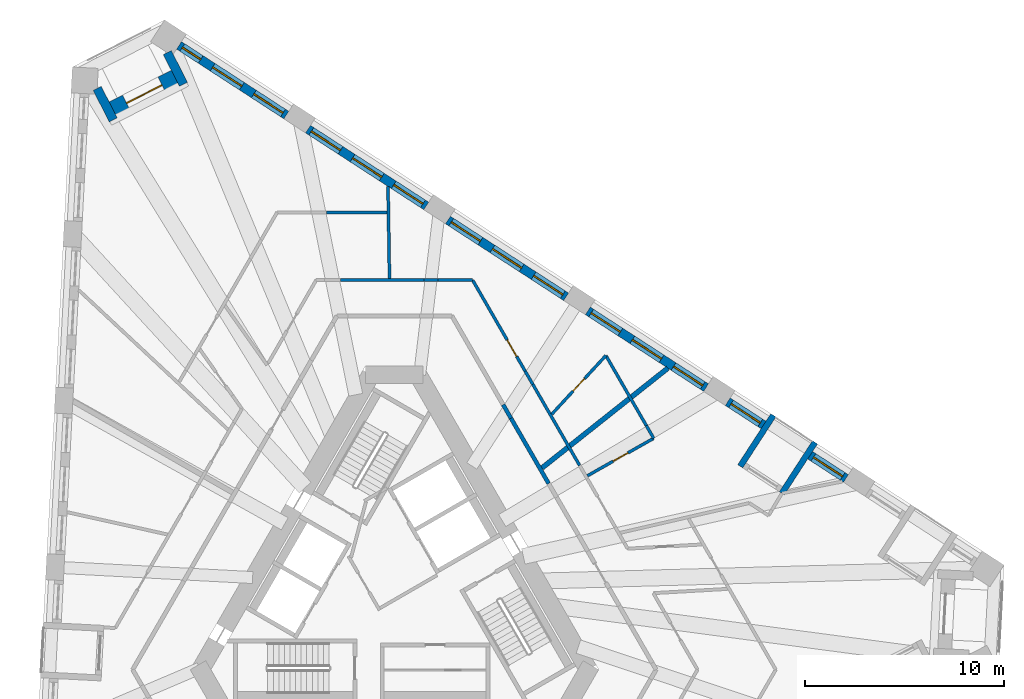
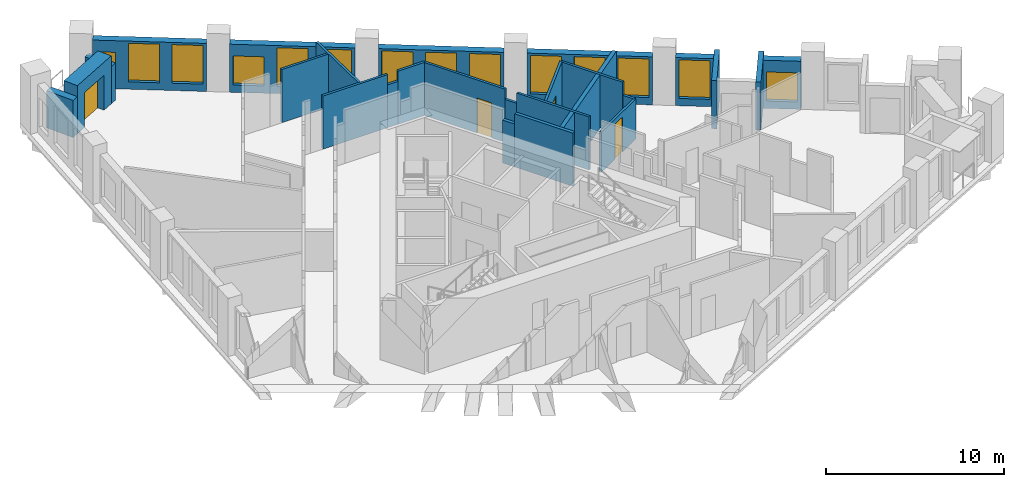
# One storey, part 8 of 13: 26 walls, 14 windows, 4 doors, 18 openings.
"""IFC4 building model written with IfcOpenShell, lengths in metres."""

from ifc_helpers import new_model, si_unit, direction, frame, frame_2d, origin, place, context, subcontext, project, spatial, rectangle, extrude, material, layer, layer_set, type_object, element, fill, save


model = new_model("IFC4")

# Units and contexts
model_context = context("Model", 3, precision=1e-05, world=origin(), true_north=direction((0.0, 1.0)))
body_context = subcontext(model_context, "Body", "Model", "MODEL_VIEW")
ifc_project = project(units=[si_unit("LENGTHUNIT", "METRE"), si_unit("AREAUNIT", "SQUARE_METRE"), si_unit("VOLUMEUNIT", "CUBIC_METRE"), si_unit("PLANEANGLEUNIT", "RADIAN"), si_unit("MASSUNIT", "GRAM", prefix="KILO")], contexts=[model_context])

# Site, building, storey
site_placement = place(None, origin())
site = spatial("IfcSite", under=ifc_project, at=site_placement, CompositionType="ELEMENT")
building_placement = place(site_placement, origin())
building = spatial("IfcBuilding", under=site, at=building_placement, Name="Tramontana Tower", CompositionType="ELEMENT")
storey_placement = place(building_placement, frame((0.0, 0.0, 149.60009765625)))
storey = spatial("IfcBuildingStorey", under=building, at=storey_placement, Name="L34", CompositionType="ELEMENT", Elevation=149.60009765625)

# Walls
ifc_material_1 = material(Name="Blockwork", Category="masonry")
ifc_layer_1 = layer(ifc_material_1, 0.199951171875)
ifc_layer_set_1 = layer_set([ifc_layer_1], Name="ENTRY WALL 200")
wall_type_1 = type_object("IfcWallType", Name="ENTRY WALL 200", PredefinedType="SOLIDWALL", material=ifc_layer_set_1)
wall_1_placement = place(storey_placement, frame((5.457763671875, 9.046875, 0.0), z_axis=(0.0, 0.0, 1.0), x_axis=(0.499982474044, -0.866035522163, 0.0)))
element("IfcWall", 1, at=wall_1_placement, inside=storey, type_object=wall_type_1, Name="Wall v32-ew0-1", PredefinedType="SOLIDWALL", context=body_context, shape_type="SweptSolid", body=[
    extrude(rectangle(XDim=0.78564453125, YDim=0.199951171875, at=frame_2d((0.392822265625, 0.0))), origin(), (0.0, 0.0, 1.0), 2.949951171875),
])
wall_2_placement = place(storey_placement, frame((5.8505859375, 8.366455078125, 0.0), z_axis=(0.0, 0.0, 1.0), x_axis=(0.499998034377, -0.866026538634, 0.0)))
element("IfcWall", 2, at=wall_2_placement, inside=storey, type_object=wall_type_1, Name="Wall v32-ew0-2", PredefinedType="SOLIDWALL", context=body_context, shape_type="SweptSolid", body=[
    extrude(rectangle(XDim=3.783203125, YDim=0.199951171875, at=frame_2d((1.8916015625, 0.0))), origin(), (0.0, 0.0, 1.0), 3.64990234375),
])

# Wall, opening, window
ifc_material_2 = material(Name="Precast concrete 60 MPa", Category="concrete")
ifc_layer_2 = layer(ifc_material_2, 0.449951171875)
ifc_layer_set_2 = layer_set([ifc_layer_2], Name="Precast concrete 60 MPa, 450 mm")
wall_type_2 = type_object("IfcWallType", Name="EW1 Stone-faced precast wall 450", PredefinedType="SOLIDWALL", material=ifc_layer_set_2)
wall_3_placement = place(storey_placement, frame((22.660400390625, 5.345703125, 0.0), z_axis=(0.0, 0.0, 1.0), x_axis=(-0.838675466927, 0.544631491171, 0.0)))
wall_3 = element("IfcWall", 3, at=wall_3_placement, inside=storey, type_object=wall_type_2, Name="External wall L34 face 2 bay 2", PredefinedType="SOLIDWALL", context=body_context, shape_type="SweptSolid", body=[
    extrude(rectangle(XDim=2.140380859375, YDim=0.449951171875, at=frame_2d((1.0703125, 0.0))), origin(), (0.0, 0.0, 1.0), 3.2998046875),
])
opening_1_placement = place(wall_3_placement, frame((0.1953125, 0.0, 0.5)))
opening_1 = element("IfcOpeningElement", 4, at=opening_1_placement, cuts=wall_3, Name="Opening M2L", PredefinedType="OPENING", context=body_context, shape_type="SweptSolid", body=[
    extrude(rectangle(XDim=1.75, YDim=2.0, at=frame_2d((0.875, 1.0))), frame((0.0, 0.23486328125, 0.0), z_axis=(0.0, -1.0, 0.0), x_axis=(1.0, 0.0, 0.0)), (0.0, 0.0, 1.0), 0.469970703125),
])
ifc_material_3 = material(Name="Aluminum frame, double glazing unit", Category="aluminium")
window_type_1 = type_object("IfcWindowType", Name="M2L Window 1.75 x 2", PartitioningType="SINGLE_PANEL", PredefinedType="WINDOW", material=ifc_material_3)
window_1_placement = place(opening_1_placement, origin())
window_1 = element("IfcWindow", 5, at=window_1_placement, inside=storey, type_object=window_type_1, Name="Window M2L L34 face 2 module 4", OverallHeight=2.0, OverallWidth=1.75, PartitioningType="SINGLE_PANEL", PredefinedType="WINDOW", context=body_context, shape_type="SweptSolid", body=[
    extrude(rectangle(XDim=1.75, YDim=2.0, at=frame_2d((0.875, 1.0))), frame((0.0, 0.030029296875, 0.0), z_axis=(0.0, -1.0, 0.0), x_axis=(1.0, 0.0, 0.0)), (0.0, 0.0, 1.0), 0.06005859375),
])
fill(opening_1, window_1)

wall_4_placement = place(storey_placement, frame((18.52490234375, 8.03125, 0.0), z_axis=(0.0, 0.0, 1.0), x_axis=(-0.838675466927, 0.544631491171, 0.0)))
wall_4 = element("IfcWall", 6, at=wall_4_placement, inside=storey, type_object=wall_type_2, Name="External wall L34 face 2 bay 2", PredefinedType="SOLIDWALL", context=body_context, shape_type="SweptSolid", body=[
    extrude(rectangle(XDim=2.140380859375, YDim=0.449951171875, at=frame_2d((1.0703125, 0.0))), origin(), (0.0, 0.0, 1.0), 3.2998046875),
])
opening_2_placement = place(wall_4_placement, frame((0.1953125, 0.0, 0.5)))
opening_2 = element("IfcOpeningElement", 7, at=opening_2_placement, cuts=wall_4, Name="Opening M2", PredefinedType="OPENING", context=body_context, shape_type="SweptSolid", body=[
    extrude(rectangle(XDim=1.75, YDim=2.64990234375, at=frame_2d((0.875, 1.324951171875))), frame((0.0, 0.23486328125, 0.0), z_axis=(0.0, -1.0, 0.0), x_axis=(1.0, 0.0, 0.0)), (0.0, 0.0, 1.0), 0.469970703125),
])
ifc_material_4 = material(Name="Aluminum frame, double glazing unit", Category="aluminium")
window_type_2 = type_object("IfcWindowType", Name="M2 Window 1.75 x 2.65", PartitioningType="SINGLE_PANEL", PredefinedType="WINDOW", material=ifc_material_4)
window_2_placement = place(opening_2_placement, origin())
window_2 = element("IfcWindow", 8, at=window_2_placement, inside=storey, type_object=window_type_2, Name="Window M2 L34 face 2 module 6", OverallHeight=2.64990234375, OverallWidth=1.75, PartitioningType="SINGLE_PANEL", PredefinedType="WINDOW", context=body_context, shape_type="SweptSolid", body=[
    extrude(rectangle(XDim=1.75, YDim=2.64990234375, at=frame_2d((0.875, 1.324951171875))), frame((0.0, 0.030029296875, 0.0), z_axis=(0.0, -1.0, 0.0), x_axis=(1.0, 0.0, 0.0)), (0.0, 0.0, 1.0), 0.06005859375),
])
fill(opening_2, window_2)

# Wall, openings, windows
wall_5_placement = place(storey_placement, frame((15.639404296875, 9.9052734375, 0.0), z_axis=(0.0, 0.0, 1.0), x_axis=(-0.838677021821, 0.54462909679, 0.0)))
wall_5 = element("IfcWall", 9, at=wall_5_placement, inside=storey, type_object=wall_type_2, Name="External wall L34 face 2 bay 3", PredefinedType="SOLIDWALL", context=body_context, shape_type="SweptSolid", body=[
    extrude(rectangle(XDim=7.071533203125, YDim=0.449951171875, at=frame_2d((3.53564453125, 0.0))), origin(), (0.0, 0.0, 1.0), 3.2998046875),
])
opening_3_placement = place(wall_5_placement, frame((0.1953125, 0.0, 0.5)))
opening_3 = element("IfcOpeningElement", 10, at=opening_3_placement, cuts=wall_5, Name="Opening M2", PredefinedType="OPENING", context=body_context, shape_type="SweptSolid", body=[
    extrude(rectangle(XDim=1.75, YDim=2.64990234375, at=frame_2d((0.875, 1.324951171875))), frame((0.0, 0.23486328125, 0.0), z_axis=(0.0, -1.0, 0.0), x_axis=(1.0, 0.0, 0.0)), (0.0, 0.0, 1.0), 0.469970703125),
])
opening_4_placement = place(wall_5_placement, frame((2.660888671875, 0.0, 0.5)))
opening_4 = element("IfcOpeningElement", 11, at=opening_4_placement, cuts=wall_5, Name="Opening M2", PredefinedType="OPENING", context=body_context, shape_type="SweptSolid", body=[
    extrude(rectangle(XDim=1.75, YDim=2.64990234375, at=frame_2d((0.875, 1.324951171875))), frame((0.0, 0.23486328125, 0.0), z_axis=(0.0, -1.0, 0.0), x_axis=(1.0, 0.0, 0.0)), (0.0, 0.0, 1.0), 0.469970703125),
])
opening_5_placement = place(wall_5_placement, frame((5.126220703125, 0.0, 0.5)))
opening_5 = element("IfcOpeningElement", 12, at=opening_5_placement, cuts=wall_5, Name="Opening M2", PredefinedType="OPENING", context=body_context, shape_type="SweptSolid", body=[
    extrude(rectangle(XDim=1.75, YDim=2.64990234375, at=frame_2d((0.875, 1.324951171875))), frame((0.0, 0.23486328125, 0.0), z_axis=(0.0, -1.0, 0.0), x_axis=(1.0, 0.0, 0.0)), (0.0, 0.0, 1.0), 0.469970703125),
])
window_3_placement = place(opening_3_placement, origin())
window_3 = element("IfcWindow", 13, at=window_3_placement, inside=storey, type_object=window_type_2, Name="Window M2 L34 face 2 module 7", OverallHeight=2.64990234375, OverallWidth=1.75, PartitioningType="SINGLE_PANEL", PredefinedType="WINDOW", context=body_context, shape_type="SweptSolid", body=[
    extrude(rectangle(XDim=1.75, YDim=2.64990234375, at=frame_2d((0.875, 1.324951171875))), frame((0.0, 0.030029296875, 0.0), z_axis=(0.0, -1.0, 0.0), x_axis=(1.0, 0.0, 0.0)), (0.0, 0.0, 1.0), 0.06005859375),
])
fill(opening_3, window_3)
window_4_placement = place(opening_4_placement, origin())
window_4 = element("IfcWindow", 14, at=window_4_placement, inside=storey, type_object=window_type_2, Name="Window M2 L34 face 2 module 8", OverallHeight=2.64990234375, OverallWidth=1.75, PartitioningType="SINGLE_PANEL", PredefinedType="WINDOW", context=body_context, shape_type="SweptSolid", body=[
    extrude(rectangle(XDim=1.75, YDim=2.64990234375, at=frame_2d((0.875, 1.324951171875))), frame((0.0, 0.030029296875, 0.0), z_axis=(0.0, -1.0, 0.0), x_axis=(1.0, 0.0, 0.0)), (0.0, 0.0, 1.0), 0.06005859375),
])
fill(opening_4, window_4)
window_5_placement = place(opening_5_placement, origin())
window_5 = element("IfcWindow", 15, at=window_5_placement, inside=storey, type_object=window_type_2, Name="Window M2 L34 face 2 module 9", OverallHeight=2.64990234375, OverallWidth=1.75, PartitioningType="SINGLE_PANEL", PredefinedType="WINDOW", context=body_context, shape_type="SweptSolid", body=[
    extrude(rectangle(XDim=1.75, YDim=2.64990234375, at=frame_2d((0.875, 1.324951171875))), frame((0.0, 0.030029296875, 0.0), z_axis=(0.0, -1.0, 0.0), x_axis=(1.0, 0.0, 0.0)), (0.0, 0.0, 1.0), 0.06005859375),
])
fill(opening_5, window_5)

wall_6_placement = place(storey_placement, frame((8.618408203125, 14.464599609375, 0.0), z_axis=(0.0, 0.0, 1.0), x_axis=(-0.838661251934, 0.544653380146, 0.0)))
wall_6 = element("IfcWall", 16, at=wall_6_placement, inside=storey, type_object=wall_type_2, Name="External wall L34 face 2 bay 4", PredefinedType="SOLIDWALL", context=body_context, shape_type="SweptSolid", body=[
    extrude(rectangle(XDim=7.071533203125, YDim=0.449951171875, at=frame_2d((3.53564453125, 0.0))), origin(), (0.0, 0.0, 1.0), 3.2998046875),
])
opening_6_placement = place(wall_6_placement, frame((0.1953125, 0.0, 0.5)))
opening_6 = element("IfcOpeningElement", 17, at=opening_6_placement, cuts=wall_6, Name="Opening M2", PredefinedType="OPENING", context=body_context, shape_type="SweptSolid", body=[
    extrude(rectangle(XDim=1.75, YDim=2.64990234375, at=frame_2d((0.875, 1.324951171875))), frame((0.0, 0.23486328125, 0.0), z_axis=(0.0, -1.0, 0.0), x_axis=(1.0, 0.0, 0.0)), (0.0, 0.0, 1.0), 0.469970703125),
])
opening_7_placement = place(wall_6_placement, frame((2.660888671875, 0.0, 0.5)))
opening_7 = element("IfcOpeningElement", 18, at=opening_7_placement, cuts=wall_6, Name="Opening M2", PredefinedType="OPENING", context=body_context, shape_type="SweptSolid", body=[
    extrude(rectangle(XDim=1.75, YDim=2.64990234375, at=frame_2d((0.875, 1.324951171875))), frame((0.0, 0.23486328125, 0.0), z_axis=(0.0, -1.0, 0.0), x_axis=(1.0, 0.0, 0.0)), (0.0, 0.0, 1.0), 0.469970703125),
])
opening_8_placement = place(wall_6_placement, frame((5.126220703125, 0.0, 0.5)))
opening_8 = element("IfcOpeningElement", 19, at=opening_8_placement, cuts=wall_6, Name="Opening M2", PredefinedType="OPENING", context=body_context, shape_type="SweptSolid", body=[
    extrude(rectangle(XDim=1.75, YDim=2.64990234375, at=frame_2d((0.875, 1.324951171875))), frame((0.0, 0.23486328125, 0.0), z_axis=(0.0, -1.0, 0.0), x_axis=(1.0, 0.0, 0.0)), (0.0, 0.0, 1.0), 0.469970703125),
])
window_6_placement = place(opening_6_placement, origin())
window_6 = element("IfcWindow", 20, at=window_6_placement, inside=storey, type_object=window_type_2, Name="Window M2 L34 face 2 module 10", OverallHeight=2.64990234375, OverallWidth=1.75, PartitioningType="SINGLE_PANEL", PredefinedType="WINDOW", context=body_context, shape_type="SweptSolid", body=[
    extrude(rectangle(XDim=1.75, YDim=2.64990234375, at=frame_2d((0.875, 1.324951171875))), frame((0.0, 0.030029296875, 0.0), z_axis=(0.0, -1.0, 0.0), x_axis=(1.0, 0.0, 0.0)), (0.0, 0.0, 1.0), 0.06005859375),
])
fill(opening_6, window_6)
window_7_placement = place(opening_7_placement, origin())
window_7 = element("IfcWindow", 21, at=window_7_placement, inside=storey, type_object=window_type_2, Name="Window M2 L34 face 2 module 11", OverallHeight=2.64990234375, OverallWidth=1.75, PartitioningType="SINGLE_PANEL", PredefinedType="WINDOW", context=body_context, shape_type="SweptSolid", body=[
    extrude(rectangle(XDim=1.75, YDim=2.64990234375, at=frame_2d((0.875, 1.324951171875))), frame((0.0, 0.030029296875, 0.0), z_axis=(0.0, -1.0, 0.0), x_axis=(1.0, 0.0, 0.0)), (0.0, 0.0, 1.0), 0.06005859375),
])
fill(opening_7, window_7)
window_8_placement = place(opening_8_placement, origin())
window_8 = element("IfcWindow", 22, at=window_8_placement, inside=storey, type_object=window_type_2, Name="Window M2 L34 face 2 module 12", OverallHeight=2.64990234375, OverallWidth=1.75, PartitioningType="SINGLE_PANEL", PredefinedType="WINDOW", context=body_context, shape_type="SweptSolid", body=[
    extrude(rectangle(XDim=1.75, YDim=2.64990234375, at=frame_2d((0.875, 1.324951171875))), frame((0.0, 0.030029296875, 0.0), z_axis=(0.0, -1.0, 0.0), x_axis=(1.0, 0.0, 0.0)), (0.0, 0.0, 1.0), 0.06005859375),
])
fill(opening_8, window_8)

wall_7_placement = place(storey_placement, frame((1.597412109375, 19.024169921875, 0.0), z_axis=(0.0, 0.0, 1.0), x_axis=(-0.838677021821, 0.54462909679, 0.0)))
wall_7 = element("IfcWall", 23, at=wall_7_placement, inside=storey, type_object=wall_type_2, Name="External wall L34 face 2 bay 5", PredefinedType="SOLIDWALL", context=body_context, shape_type="SweptSolid", body=[
    extrude(rectangle(XDim=7.071533203125, YDim=0.449951171875, at=frame_2d((3.53564453125, 0.0))), origin(), (0.0, 0.0, 1.0), 3.2998046875),
])
opening_9_placement = place(wall_7_placement, frame((0.1953125, 0.0, 0.5)))
opening_9 = element("IfcOpeningElement", 24, at=opening_9_placement, cuts=wall_7, Name="Opening M2", PredefinedType="OPENING", context=body_context, shape_type="SweptSolid", body=[
    extrude(rectangle(XDim=1.75, YDim=2.64990234375, at=frame_2d((0.875, 1.324951171875))), frame((0.0, 0.23486328125, 0.0), z_axis=(0.0, -1.0, 0.0), x_axis=(1.0, 0.0, 0.0)), (0.0, 0.0, 1.0), 0.469970703125),
])
opening_10_placement = place(wall_7_placement, frame((2.660888671875, 0.0, 0.5)))
opening_10 = element("IfcOpeningElement", 25, at=opening_10_placement, cuts=wall_7, Name="Opening M2", PredefinedType="OPENING", context=body_context, shape_type="SweptSolid", body=[
    extrude(rectangle(XDim=1.75, YDim=2.64990234375, at=frame_2d((0.875, 1.324951171875))), frame((0.0, 0.23486328125, 0.0), z_axis=(0.0, -1.0, 0.0), x_axis=(1.0, 0.0, 0.0)), (0.0, 0.0, 1.0), 0.469970703125),
])
opening_11_placement = place(wall_7_placement, frame((5.126220703125, 0.0, 0.5)))
opening_11 = element("IfcOpeningElement", 26, at=opening_11_placement, cuts=wall_7, Name="Opening M2L", PredefinedType="OPENING", context=body_context, shape_type="SweptSolid", body=[
    extrude(rectangle(XDim=1.75, YDim=2.0, at=frame_2d((0.875, 1.0))), frame((0.0, 0.23486328125, 0.0), z_axis=(0.0, -1.0, 0.0), x_axis=(1.0, 0.0, 0.0)), (0.0, 0.0, 1.0), 0.469970703125),
])
window_9_placement = place(opening_9_placement, origin())
window_9 = element("IfcWindow", 27, at=window_9_placement, inside=storey, type_object=window_type_2, Name="Window M2 L34 face 2 module 13", OverallHeight=2.64990234375, OverallWidth=1.75, PartitioningType="SINGLE_PANEL", PredefinedType="WINDOW", context=body_context, shape_type="SweptSolid", body=[
    extrude(rectangle(XDim=1.75, YDim=2.64990234375, at=frame_2d((0.875, 1.324951171875))), frame((0.0, 0.030029296875, 0.0), z_axis=(0.0, -1.0, 0.0), x_axis=(1.0, 0.0, 0.0)), (0.0, 0.0, 1.0), 0.06005859375),
])
fill(opening_9, window_9)
window_10_placement = place(opening_10_placement, origin())
window_10 = element("IfcWindow", 28, at=window_10_placement, inside=storey, type_object=window_type_2, Name="Window M2 L34 face 2 module 14", OverallHeight=2.64990234375, OverallWidth=1.75, PartitioningType="SINGLE_PANEL", PredefinedType="WINDOW", context=body_context, shape_type="SweptSolid", body=[
    extrude(rectangle(XDim=1.75, YDim=2.64990234375, at=frame_2d((0.875, 1.324951171875))), frame((0.0, 0.030029296875, 0.0), z_axis=(0.0, -1.0, 0.0), x_axis=(1.0, 0.0, 0.0)), (0.0, 0.0, 1.0), 0.06005859375),
])
fill(opening_10, window_10)
window_11_placement = place(opening_11_placement, origin())
window_11 = element("IfcWindow", 29, at=window_11_placement, inside=storey, type_object=window_type_1, Name="Window M2L L34 face 2 module 15", OverallHeight=2.0, OverallWidth=1.75, PartitioningType="SINGLE_PANEL", PredefinedType="WINDOW", context=body_context, shape_type="SweptSolid", body=[
    extrude(rectangle(XDim=1.75, YDim=2.0, at=frame_2d((0.875, 1.0))), frame((0.0, 0.030029296875, 0.0), z_axis=(0.0, -1.0, 0.0), x_axis=(1.0, 0.0, 0.0)), (0.0, 0.0, 1.0), 0.06005859375),
])
fill(opening_11, window_11)

wall_8_placement = place(storey_placement, frame((-5.423583984375, 23.583740234375, 0.0), z_axis=(0.0, 0.0, 1.0), x_axis=(-0.838675466927, 0.544631491171, 0.0)))
wall_8 = element("IfcWall", 30, at=wall_8_placement, inside=storey, type_object=wall_type_2, Name="External wall L34 face 2 bay 6", PredefinedType="SOLIDWALL", context=body_context, shape_type="SweptSolid", body=[
    extrude(rectangle(XDim=6.42138671875, YDim=0.449951171875, at=frame_2d((3.210693359375, 0.0))), origin(), (0.0, 0.0, 1.0), 3.2998046875),
])
opening_12_placement = place(wall_8_placement, frame((0.1953125, 0.0, 0.5)))
opening_12 = element("IfcOpeningElement", 31, at=opening_12_placement, cuts=wall_8, Name="Opening M2", PredefinedType="OPENING", context=body_context, shape_type="SweptSolid", body=[
    extrude(rectangle(XDim=1.75, YDim=2.64990234375, at=frame_2d((0.875, 1.324951171875))), frame((0.0, 0.23486328125, 0.0), z_axis=(0.0, -1.0, 0.0), x_axis=(1.0, 0.0, 0.0)), (0.0, 0.0, 1.0), 0.469970703125),
])
opening_13_placement = place(wall_8_placement, frame((2.660888671875, 0.0, 0.5)))
opening_13 = element("IfcOpeningElement", 32, at=opening_13_placement, cuts=wall_8, Name="Opening M2", PredefinedType="OPENING", context=body_context, shape_type="SweptSolid", body=[
    extrude(rectangle(XDim=1.75, YDim=2.64990234375, at=frame_2d((0.875, 1.324951171875))), frame((0.0, 0.23486328125, 0.0), z_axis=(0.0, -1.0, 0.0), x_axis=(1.0, 0.0, 0.0)), (0.0, 0.0, 1.0), 0.469970703125),
])
opening_14_placement = place(wall_8_placement, frame((5.126220703125, 0.0, 0.5)))
opening_14 = element("IfcOpeningElement", 33, at=opening_14_placement, cuts=wall_8, Name="Opening N2L", PredefinedType="OPENING", context=body_context, shape_type="SweptSolid", body=[
    extrude(rectangle(XDim=1.10009765625, YDim=2.0, at=frame_2d((0.550048828125, 1.0))), frame((0.0, 0.23486328125, 0.0), z_axis=(0.0, -1.0, 0.0), x_axis=(1.0, 0.0, 0.0)), (0.0, 0.0, 1.0), 0.469970703125),
])
window_12_placement = place(opening_12_placement, origin())
window_12 = element("IfcWindow", 34, at=window_12_placement, inside=storey, type_object=window_type_2, Name="Window M2 L34 face 2 module 16", OverallHeight=2.64990234375, OverallWidth=1.75, PartitioningType="SINGLE_PANEL", PredefinedType="WINDOW", context=body_context, shape_type="SweptSolid", body=[
    extrude(rectangle(XDim=1.75, YDim=2.64990234375, at=frame_2d((0.875, 1.324951171875))), frame((0.0, 0.030029296875, 0.0), z_axis=(0.0, -1.0, 0.0), x_axis=(1.0, 0.0, 0.0)), (0.0, 0.0, 1.0), 0.06005859375),
])
fill(opening_12, window_12)
window_13_placement = place(opening_13_placement, origin())
window_13 = element("IfcWindow", 35, at=window_13_placement, inside=storey, type_object=window_type_2, Name="Window M2 L34 face 2 module 17", OverallHeight=2.64990234375, OverallWidth=1.75, PartitioningType="SINGLE_PANEL", PredefinedType="WINDOW", context=body_context, shape_type="SweptSolid", body=[
    extrude(rectangle(XDim=1.75, YDim=2.64990234375, at=frame_2d((0.875, 1.324951171875))), frame((0.0, 0.030029296875, 0.0), z_axis=(0.0, -1.0, 0.0), x_axis=(1.0, 0.0, 0.0)), (0.0, 0.0, 1.0), 0.06005859375),
])
fill(opening_13, window_13)
ifc_material_5 = material(Name="Aluminum frame, double glazing unit", Category="aluminium")
window_type_3 = type_object("IfcWindowType", Name="N2L Window 1.1 x 2", PartitioningType="SINGLE_PANEL", PredefinedType="WINDOW", material=ifc_material_5)
window_14_placement = place(opening_14_placement, origin())
window_14 = element("IfcWindow", 36, at=window_14_placement, inside=storey, type_object=window_type_3, Name="Window N2L L34 face 2 module 18", OverallHeight=2.0, OverallWidth=1.10009765625, PartitioningType="SINGLE_PANEL", PredefinedType="WINDOW", context=body_context, shape_type="SweptSolid", body=[
    extrude(rectangle(XDim=1.10009765625, YDim=2.0, at=frame_2d((0.550048828125, 1.0))), frame((0.0, 0.030029296875, 0.0), z_axis=(0.0, -1.0, 0.0), x_axis=(1.0, 0.0, 0.0)), (0.0, 0.0, 1.0), 0.06005859375),
])
fill(opening_14, window_14)

# Walls
for number, where, z_axis, x_axis, name in (
    (37, (-14.916015625, 24.924072265625, 0.0), (0.0, 0.0, 1.0), (0.453952505513, -0.891025882193, 0.0), "Corner loggia side wall L34 K30l"),
    (38, (-11.396484375, 26.71728515625, 0.0), (0.0, 0.0, 1.0), (0.453952505513, -0.891025882193, 0.0), "Corner loggia side wall L34 K30r"),
):
    element("IfcWall", number, at=place(storey_placement, frame(where, z_axis=z_axis, x_axis=x_axis)), inside=storey, type_object=wall_type_2, Name=name, PredefinedType="SOLIDWALL", context=body_context, shape_type="SweptSolid", body=[
        extrude(rectangle(XDim=1.779052734375, YDim=0.449951171875, at=frame_2d((0.8896484375, 0.0))), origin(), (0.0, 0.0, 1.0), 2.5498046875),
    ])

# Wall, opening, door
ifc_material_6 = material(Name="Precast concrete 60 MPa", Category="concrete")
ifc_layer_3 = layer(ifc_material_6, 0.89990234375)
ifc_layer_set_3 = layer_set([ifc_layer_3], Name="EW2 Stone-faced corner loggia wall 900")
wall_type_3 = type_object("IfcWallType", Name="EW2 Stone-faced corner loggia wall 900", PredefinedType="SOLIDWALL", material=ifc_layer_set_3)
wall_9_placement = place(storey_placement, frame((-14.112060546875, 23.841796875, 0.0), z_axis=(0.0, 0.0, 1.0), x_axis=(0.890983062796, 0.454036542374, 0.0)))
wall_9 = element("IfcWall", 39, at=wall_9_placement, inside=storey, type_object=wall_type_3, Name="Corner loggia wall L34 K30", PredefinedType="SOLIDWALL", context=body_context, shape_type="SweptSolid", body=[
    extrude(rectangle(XDim=3.5, YDim=0.89990234375, at=frame_2d((1.75, 0.0))), origin(), (0.0, 0.0, 1.0), 3.2998046875),
])
opening_15_placement = place(wall_9_placement, frame((0.75, 0.0, 0.0)))
opening_15 = element("IfcOpeningElement", 40, at=opening_15_placement, cuts=wall_9, Name="Opening BD-30C", PredefinedType="OPENING", context=body_context, shape_type="SweptSolid", body=[
    extrude(rectangle(XDim=2.0, YDim=2.39990234375, at=frame_2d((1.0, 1.199951171875))), frame((0.0, 0.4599609375, 0.0), z_axis=(0.0, -1.0, 0.0), x_axis=(1.0, 0.0, 0.0)), (0.0, 0.0, 1.0), 0.919921875),
])
ifc_material_7 = material(Name="Aluminum frame, double glazing unit", Category="aluminium")
door_type_1 = type_object("IfcDoorType", Name="BC1 Sliding door 2 x 2.4", OperationType="SLIDING_TO_LEFT", PredefinedType="DOOR", material=ifc_material_7)
door_1_placement = place(opening_15_placement, origin())
door_1 = element("IfcDoor", 41, at=door_1_placement, inside=storey, type_object=door_type_1, Name="Corner loggia door L34 K30", OperationType="SLIDING_TO_LEFT", OverallHeight=2.39990234375, OverallWidth=2.0, PredefinedType="DOOR", context=body_context, shape_type="SweptSolid", body=[
    extrude(rectangle(XDim=2.0, YDim=2.39990234375, at=frame_2d((1.0, 1.199951171875))), frame((0.0, 0.02490234375, 0.0), z_axis=(0.0, -1.0, 0.0), x_axis=(1.0, 0.0, 0.0)), (0.0, 0.0, 1.0), 0.050048828125),
])
fill(opening_15, door_1)

# Walls
ifc_material_8 = material(Name="Precast concrete 60 MPa", Category="concrete")
ifc_layer_4 = layer(ifc_material_8, 0.300048828125)
ifc_layer_set_4 = layer_set([ifc_layer_4], Name="LW1 Stone-faced loggia wall 300")
wall_type_4 = type_object("IfcWallType", Name="LW1 Stone-faced loggia wall 300", PredefinedType="SOLIDWALL", material=ifc_layer_set_4)
for number, where, z_axis, x_axis, name in (
    (42, (21.10693359375, 7.1591796875, 0.0), (0.0, 0.0, 1.0), (-0.544647854685, -0.838664840319, 0.0), "Loggia return L34 G3S2.4a"),
    (43, (19.018310546875, 8.515625, 0.0), (0.0, 0.0, 1.0), (-0.544647854685, -0.838664840319, 0.0), "Loggia return L34 G3S2.4b"),
):
    element("IfcWall", number, at=place(storey_placement, frame(where, z_axis=z_axis, x_axis=x_axis)), inside=storey, type_object=wall_type_4, Name=name, PredefinedType="SOLIDWALL", context=body_context, shape_type="SweptSolid", body=[
        extrude(rectangle(XDim=3.0498046875, YDim=0.300048828125, at=frame_2d((1.52490234375, 0.0))), origin(), (0.0, 0.0, 1.0), 3.2998046875),
    ])
ifc_material_9 = material(Name="Gypsum board partition")
ifc_layer_5 = layer(ifc_material_9, 0.14990234375)
ifc_layer_set_5 = layer_set([ifc_layer_5], Name="PARTITION 150")
wall_type_5 = type_object("IfcWallType", Name="PARTITION 150", PredefinedType="PARTITIONING", material=ifc_layer_set_5)
wall_10_placement = place(storey_placement, frame((-3.40234375, 18.699951171875, 0.0), z_axis=(0.0, 0.0, 1.0), x_axis=(1.0, 0.0, 0.0)))
element("IfcWall", 44, at=wall_10_placement, inside=storey, type_object=wall_type_5, Name="Wall v32-pw13-2", PredefinedType="PARTITIONING", context=body_context, shape_type="SweptSolid", body=[
    extrude(rectangle(XDim=3.02783203125, YDim=0.14990234375, at=frame_2d((1.513916015625, 0.0))), origin(), (0.0, 0.0, 1.0), 3.64990234375),
])
wall_11_placement = place(storey_placement, frame((-2.711669921875, 15.300048828125, 0.0), z_axis=(0.0, 0.0, 1.0), x_axis=(1.0, 0.0, 0.0)))
element("IfcWall", 45, at=wall_11_placement, inside=storey, type_object=wall_type_5, Name="Wall v32-pw14-2", PredefinedType="PARTITIONING", context=body_context, shape_type="SweptSolid", body=[
    extrude(rectangle(XDim=4.20947265625, YDim=0.14990234375, at=frame_2d((2.104736328125, 0.0))), origin(), (0.0, 0.0, 1.0), 3.64990234375),
])
wall_12_placement = place(storey_placement, frame((1.497802734375, 15.300048828125, 0.0), z_axis=(0.0, 0.0, 1.0), x_axis=(1.0, 0.0, 0.0)))
element("IfcWall", 46, at=wall_12_placement, inside=storey, type_object=wall_type_5, Name="Wall v32-pw14-3", PredefinedType="PARTITIONING", context=body_context, shape_type="SweptSolid", body=[
    extrude(rectangle(XDim=0.6796875, YDim=0.14990234375, at=frame_2d((0.33984375, 0.0))), origin(), (0.0, 0.0, 1.0), 2.949951171875),
])
wall_13_placement = place(storey_placement, frame((2.177490234375, 15.300048828125, 0.0), z_axis=(0.0, 0.0, 1.0), x_axis=(1.0, 0.0, 0.0)))
element("IfcWall", 47, at=wall_13_placement, inside=storey, type_object=wall_type_5, Name="Wall v32-pw14-4", PredefinedType="PARTITIONING", context=body_context, shape_type="SweptSolid", body=[
    extrude(rectangle(XDim=1.74853515625, YDim=0.14990234375, at=frame_2d((0.874267578125, 0.0))), origin(), (0.0, 0.0, 1.0), 3.64990234375),
])
wall_14_placement = place(storey_placement, frame((-0.3203125, 20.001220703125, 0.0), z_axis=(0.0, 0.0, 1.0), x_axis=(0.015988245843, -0.999872179828, 0.0)))
element("IfcWall", 48, at=wall_14_placement, inside=storey, type_object=wall_type_5, Name="Wall v32-pw17", PredefinedType="PARTITIONING", context=body_context, shape_type="SweptSolid", body=[
    extrude(rectangle(XDim=4.626708984375, YDim=0.14990234375, at=frame_2d((2.3134765625, 0.0))), origin(), (0.0, 0.0, 1.0), 3.64990234375),
])

# Wall, opening, door
wall_15_placement = place(storey_placement, frame((3.926025390625, 15.300048828125, 0.0), z_axis=(0.0, 0.0, 1.0), x_axis=(0.499974706519, -0.86604000649, 0.0)))
wall_15 = element("IfcWall", 49, at=wall_15_placement, inside=storey, type_object=wall_type_5, Name="Wall v32-pw20-0", PredefinedType="PARTITIONING", context=body_context, shape_type="SweptSolid", body=[
    extrude(rectangle(XDim=5.278076171875, YDim=0.14990234375, at=frame_2d((2.63916015625, 0.0))), origin(), (0.0, 0.0, 1.0), 3.64990234375),
])
opening_16_placement = place(wall_15_placement, frame((3.465576171875, 0.0, 0.0)))
opening_16 = element("IfcOpeningElement", 50, at=opening_16_placement, cuts=wall_15, Name="Opening B3C-04", PredefinedType="OPENING", context=body_context, shape_type="SweptSolid", body=[
    extrude(rectangle(XDim=0.949951171875, YDim=2.39990234375, at=frame_2d((0.47509765625, 1.199951171875))), frame((0.0, 0.0849609375, 0.0), z_axis=(0.0, -1.0, 0.0), x_axis=(1.0, 0.0, 0.0)), (0.0, 0.0, 1.0), 0.169921875),
])
ifc_material_10 = material(Name="Painted timber", Category="wood")
door_type_2 = type_object("IfcDoorType", Name="DOOR ROOM 950", OperationType="SINGLE_SWING_LEFT", PredefinedType="DOOR", material=ifc_material_10)
door_2_placement = place(opening_16_placement, origin())
door_2 = element("IfcDoor", 51, at=door_2_placement, inside=storey, type_object=door_type_2, Name="Door B3C-04", OperationType="SINGLE_SWING_RIGHT", OverallHeight=2.39990234375, OverallWidth=0.949951171875, PredefinedType="DOOR", context=body_context, shape_type="SweptSolid", body=[
    extrude(rectangle(XDim=0.949951171875, YDim=2.39990234375, at=frame_2d((0.47509765625, 1.199951171875))), frame((0.0, 0.02490234375, 0.0), z_axis=(0.0, -1.0, 0.0), x_axis=(1.0, 0.0, 0.0)), (0.0, 0.0, 1.0), 0.050048828125),
])
fill(opening_16, door_2)

# Walls
wall_16_placement = place(storey_placement, frame((6.56494140625, 10.72900390625, 0.0), z_axis=(0.0, 0.0, 1.0), x_axis=(0.500159472144, -0.86593331292, 0.0)))
element("IfcWall", 52, at=wall_16_placement, inside=storey, type_object=wall_type_5, Name="Wall v32-pw20-1", PredefinedType="PARTITIONING", context=body_context, shape_type="SweptSolid", body=[
    extrude(rectangle(XDim=0.757568359375, YDim=0.14990234375, at=frame_2d((0.37890625, 0.0))), origin(), (0.0, 0.0, 1.0), 2.949951171875),
])
wall_17_placement = place(storey_placement, frame((6.94384765625, 10.072998046875, 0.0), z_axis=(0.0, 0.0, 1.0), x_axis=(0.499993726502, -0.86602902576, 0.0)))
element("IfcWall", 53, at=wall_17_placement, inside=storey, type_object=wall_type_5, Name="Wall v32-pw20-2", PredefinedType="PARTITIONING", context=body_context, shape_type="SweptSolid", body=[
    extrude(rectangle(XDim=4.7001953125, YDim=0.14990234375, at=frame_2d((2.35009765625, 0.0))), origin(), (0.0, 0.0, 1.0), 3.64990234375),
])

# Wall, opening, door
wall_18_placement = place(storey_placement, frame((10.614013671875, 11.51611328125, 0.0), z_axis=(0.0, 0.0, 1.0), x_axis=(-0.677700395995, -0.735338135329, 0.0)))
wall_18 = element("IfcWall", 54, at=wall_18_placement, inside=storey, type_object=wall_type_5, Name="Wall v32-pw21", PredefinedType="PARTITIONING", context=body_context, shape_type="SweptSolid", body=[
    extrude(rectangle(XDim=4.007080078125, YDim=0.14990234375, at=frame_2d((2.00341796875, 0.0))), origin(), (0.0, 0.0, 1.0), 3.64990234375),
])
opening_17_placement = place(wall_18_placement, frame((1.57861328125, 0.0, 0.0)))
opening_17 = element("IfcOpeningElement", 55, at=opening_17_placement, cuts=wall_18, Name="Opening B3C-06", PredefinedType="OPENING", context=body_context, shape_type="SweptSolid", body=[
    extrude(rectangle(XDim=0.85009765625, YDim=2.39990234375, at=frame_2d((0.425048828125, 1.199951171875))), frame((0.0, 0.0849609375, 0.0), z_axis=(0.0, -1.0, 0.0), x_axis=(1.0, 0.0, 0.0)), (0.0, 0.0, 1.0), 0.169921875),
])
ifc_material_11 = material(Name="Painted timber", Category="wood")
door_type_3 = type_object("IfcDoorType", Name="DOOR BATH 850", OperationType="SINGLE_SWING_LEFT", PredefinedType="DOOR", material=ifc_material_11)
door_3_placement = place(opening_17_placement, origin())
door_3 = element("IfcDoor", 56, at=door_3_placement, inside=storey, type_object=door_type_3, Name="Door B3C-06", OperationType="SINGLE_SWING_RIGHT", OverallHeight=2.39990234375, OverallWidth=0.85009765625, PredefinedType="DOOR", context=body_context, shape_type="SweptSolid", body=[
    extrude(rectangle(XDim=0.85009765625, YDim=2.39990234375, at=frame_2d((0.425048828125, 1.199951171875))), frame((0.0, 0.02490234375, 0.0), z_axis=(0.0, -1.0, 0.0), x_axis=(1.0, 0.0, 0.0)), (0.0, 0.0, 1.0), 0.050048828125),
])
fill(opening_17, door_3)

# Walls
wall_19_placement = place(storey_placement, frame((10.614013671875, 11.51611328125, 0.0), z_axis=(0.0, 0.0, 1.0), x_axis=(0.499989842173, -0.866031268329, 0.0)))
element("IfcWall", 57, at=wall_19_placement, inside=storey, type_object=wall_type_5, Name="Wall v32-pw23-0", PredefinedType="PARTITIONING", context=body_context, shape_type="SweptSolid", body=[
    extrude(rectangle(XDim=4.05712890625, YDim=0.14990234375, at=frame_2d((2.028564453125, 0.0))), origin(), (0.0, 0.0, 1.0), 3.64990234375),
])
wall_20_placement = place(storey_placement, frame((12.642578125, 8.00244140625, 0.0), z_axis=(0.0, 0.0, 1.0), x_axis=(0.500008142102, -0.866020702889, 0.0)))
element("IfcWall", 58, at=wall_20_placement, inside=storey, type_object=wall_type_5, Name="Wall v32-pw23-1", PredefinedType="PARTITIONING", context=body_context, shape_type="SweptSolid", body=[
    extrude(rectangle(XDim=0.73974609375, YDim=0.14990234375, at=frame_2d((0.369873046875, 0.0))), origin(), (0.0, 0.0, 1.0), 2.75),
])

# Wall, opening, door
wall_21_placement = place(storey_placement, frame((9.68310546875, 5.478271484375, 0.0), z_axis=(0.0, 0.0, 1.0), x_axis=(0.870367823752, 0.492402123652, 0.0)))
wall_21 = element("IfcWall", 59, at=wall_21_placement, inside=storey, type_object=wall_type_5, Name="Wall v32-pw28-0", PredefinedType="PARTITIONING", context=body_context, shape_type="SweptSolid", body=[
    extrude(rectangle(XDim=3.8251953125, YDim=0.14990234375, at=frame_2d((1.91259765625, 0.0))), origin(), (0.0, 0.0, 1.0), 2.75),
])
opening_18_placement = place(wall_21_placement, frame((1.487548828125, 0.0, 0.0)))
opening_18 = element("IfcOpeningElement", 60, at=opening_18_placement, cuts=wall_21, Name="Opening B3C-20", PredefinedType="OPENING", context=body_context, shape_type="SweptSolid", body=[
    extrude(rectangle(XDim=0.85009765625, YDim=2.39990234375, at=frame_2d((0.425048828125, 1.199951171875))), frame((0.0, 0.0849609375, 0.0), z_axis=(0.0, -1.0, 0.0), x_axis=(1.0, 0.0, 0.0)), (0.0, 0.0, 1.0), 0.169921875),
])
door_4_placement = place(opening_18_placement, origin())
door_4 = element("IfcDoor", 61, at=door_4_placement, inside=storey, type_object=door_type_3, Name="Door B3C-20", OperationType="SINGLE_SWING_RIGHT", OverallHeight=2.39990234375, OverallWidth=0.85009765625, PredefinedType="DOOR", context=body_context, shape_type="SweptSolid", body=[
    extrude(rectangle(XDim=0.85009765625, YDim=2.39990234375, at=frame_2d((0.425048828125, 1.199951171875))), frame((0.0, 0.02490234375, 0.0), z_axis=(0.0, -1.0, 0.0), x_axis=(1.0, 0.0, 0.0)), (0.0, 0.0, 1.0), 0.050048828125),
])
fill(opening_18, door_4)

# Wall
ifc_material_12 = material(Name="Blockwork", Category="masonry")
ifc_layer_6 = layer(ifc_material_12, 0.25)
ifc_layer_set_6 = layer_set([ifc_layer_6], Name="PARTY WALL 250")
wall_type_6 = type_object("IfcWallType", Name="PARTY WALL 250", PredefinedType="SOLIDWALL", material=ifc_layer_set_6)
wall_22_placement = place(storey_placement, frame((13.7216796875, 10.88232421875, 0.0), z_axis=(0.0, 0.0, 1.0), x_axis=(-0.783503271835, -0.621387659214, 0.0)))
element("IfcWall", 62, at=wall_22_placement, inside=storey, type_object=wall_type_6, Name="Wall v32-pw29", PredefinedType="SOLIDWALL", context=body_context, shape_type="SweptSolid", body=[
    extrude(rectangle(XDim=8.0615234375, YDim=0.25, at=frame_2d((4.03076171875, 0.0))), origin(), (0.0, 0.0, 1.0), 3.64990234375),
])

save(model, "model.ifc")
